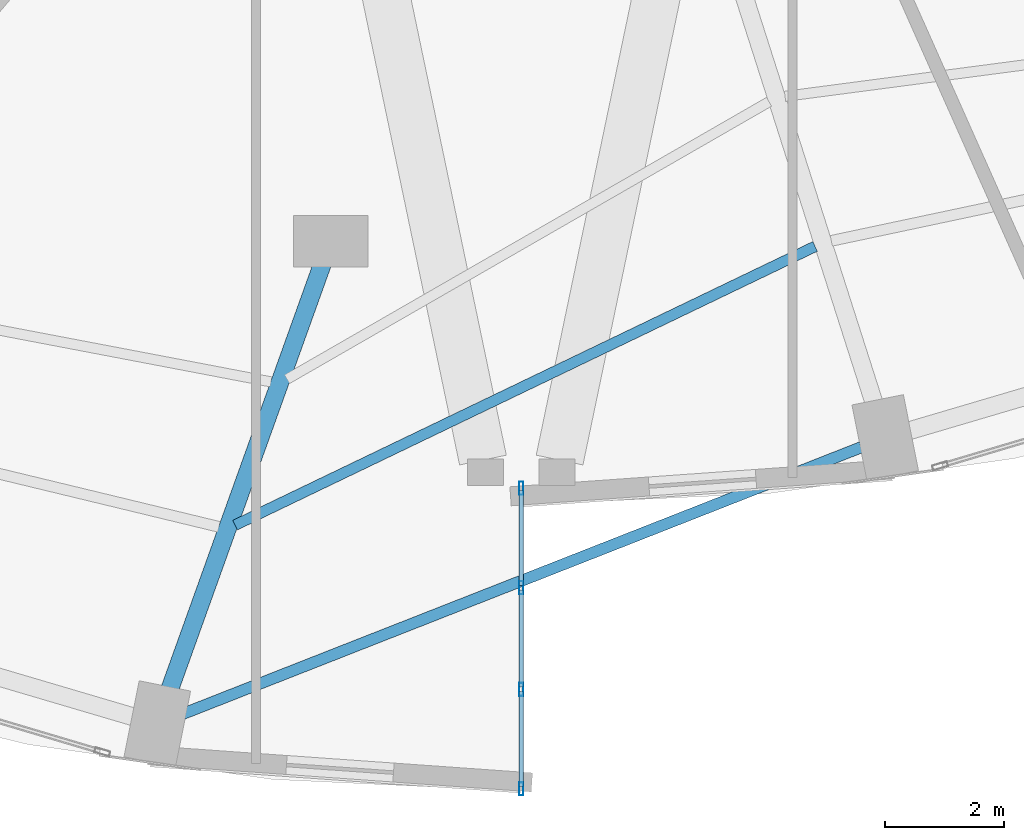
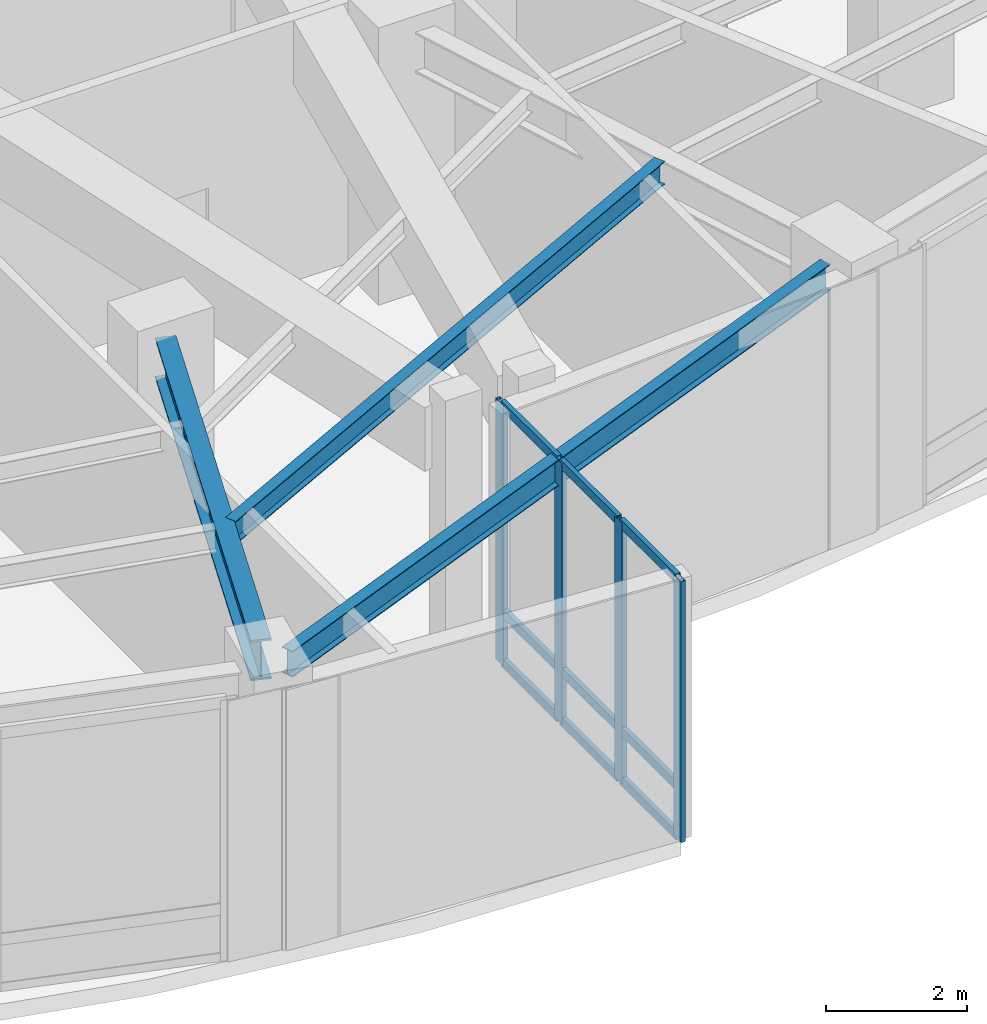
# One storey, part 4 of 24: 13 members, 3 beams, 1 element without a shape of its own.
"""IFC4 building model written with IfcOpenShell, lengths in metres."""

from ifc_helpers import new_model, si_unit, direction, frame, origin, origin_2d, place, context, subcontext, project, spatial, hollow_rectangle, i_section, extrude, material, layer, layer_set, material_profile, profile_set, type_object, element, aggregate, save


model = new_model("IFC4")

# Units and contexts
model_context = context("Model", 3, precision=1e-05, world=origin(), true_north=direction((0.0, 1.0)))
body_context = subcontext(model_context, "Body", "Model", "MODEL_VIEW")
ifc_project = project(units=[si_unit("LENGTHUNIT", "METRE"), si_unit("AREAUNIT", "SQUARE_METRE"), si_unit("VOLUMEUNIT", "CUBIC_METRE"), si_unit("PLANEANGLEUNIT", "RADIAN"), si_unit("MASSUNIT", "GRAM", prefix="KILO")], contexts=[model_context])

# Site, building, storey
site_placement = place(None, origin())
site = spatial("IfcSite", under=ifc_project, at=site_placement, CompositionType="ELEMENT")
building_placement = place(site_placement, origin())
building = spatial("IfcBuilding", under=site, at=building_placement, Name="Lazwardi Medical Tower", CompositionType="ELEMENT")
storey_placement = place(building_placement, frame((0.0, 0.0, 10.800048828125)))
storey = spatial("IfcBuildingStorey", under=building, at=storey_placement, Name="L02", CompositionType="ELEMENT", Elevation=10.800048828125)

# Beams
ifc_material_1 = material(Name="Steel S355", Category="steel")
ifc_material_profile_1 = material_profile(ifc_material_1, i_section(OverallWidth=0.300048828125, OverallDepth=0.699951171875, WebThickness=0.01708984375, FlangeThickness=0.031982421875, at=origin_2d()), Name="HEB 700")
ifc_profile_set_1 = profile_set([ifc_material_profile_1], Name="Steel S355")
beam_type_1 = type_object("IfcBeamType", Name="BM-RG-P1", PredefinedType="BEAM", material=ifc_profile_set_1)
beam_1_placement = place(storey_placement, frame((30.089599609375, 4.2744140625, 4.169921875), z_axis=(0.337851658054, 0.941199371627, 0.0), x_axis=(-0.941199371627, 0.337851658054, 0.0)))
element("IfcBeam", 1, at=beam_1_placement, inside=storey, type_object=beam_type_1, Name="Radial girder RG-01 R16A L02", PredefinedType="BEAM", context=body_context, shape_type="SweptSolid", body=[
    extrude(i_section(OverallWidth=0.300048828125, OverallDepth=0.699951171875, WebThickness=0.01708984375, FlangeThickness=0.031982421875, at=origin_2d()), origin(), (0.0, 0.0, 1.0), 7.622314453125),
])
ifc_material_profile_2 = material_profile(ifc_material_1, i_section(OverallWidth=0.179931640625, OverallDepth=0.39990234375, WebThickness=0.008544921875, FlangeThickness=0.013427734375, at=origin_2d()), Name="IPE 400")
ifc_profile_set_2 = profile_set([ifc_material_profile_2], Name="Steel S355")
beam_type_2 = type_object("IfcBeamType", Name="BM-SJ-01", PredefinedType="JOIST", material=ifc_profile_set_2)
beam_2_placement = place(storey_placement, frame((31.198974609375, 7.0634765625, 4.320068359375), z_axis=(0.901314400899, 0.433165500394, 0.0), x_axis=(-0.433165500394, 0.901314400899, 0.0)))
element("IfcBeam", 2, at=beam_2_placement, inside=storey, type_object=beam_type_2, Name="Secondary joist SJ-01 RO1 B16 L02", PredefinedType="JOIST", context=body_context, shape_type="SweptSolid", body=[
    extrude(i_section(OverallWidth=0.179931640625, OverallDepth=0.39990234375, WebThickness=0.008544921875, FlangeThickness=0.013427734375, at=origin_2d()), origin(), (0.0, 0.0, 1.0), 10.796142578125),
])
ifc_material_profile_3 = material_profile(ifc_material_1, i_section(OverallWidth=0.18994140625, OverallDepth=0.449951171875, WebThickness=0.009521484375, FlangeThickness=0.0146484375, at=origin_2d()), Name="IPE 450")
ifc_profile_set_3 = profile_set([ifc_material_profile_3], Name="Steel S355")
beam_type_3 = type_object("IfcBeamType", Name="BM-SP-01", PredefinedType="SPANDREL", material=ifc_profile_set_3)
beam_3_placement = place(storey_placement, frame((30.2939453125, 3.8857421875, 4.294921875), z_axis=(0.930695337123, 0.365795283536, 0.0), x_axis=(-0.365795283536, 0.930695337123, 0.0)))
element("IfcBeam", 3, at=beam_3_placement, inside=storey, type_object=beam_type_3, Name="Spandrel beam SP-01 B16 L02", PredefinedType="SPANDREL", context=body_context, shape_type="SweptSolid", body=[
    extrude(i_section(OverallWidth=0.18994140625, OverallDepth=0.449951171875, WebThickness=0.009521484375, FlangeThickness=0.0146484375, at=origin_2d()), origin(), (0.0, 0.0, 1.0), 12.261962890625),
])

# Curtain wall, members
ifc_material_2 = material(Name="Anodised bronze aluminium and solar control glazing", Category="aluminium")
ifc_layer = layer(ifc_material_2, 0.2099609375)
ifc_layer_set = layer_set([ifc_layer], Name="Anodised bronze aluminium and solar control glazing")
curtain_wall_type = type_object("IfcCurtainWallType", Name="CW-SYS-06", PredefinedType="NOTDEFINED", material=ifc_layer_set)
curtain_wall_placement = place(storey_placement, origin())
curtain_wall = element("IfcCurtainWall", 4, at=curtain_wall_placement, inside=storey, type_object=curtain_wall_type, Name="L02 Unitised bronze curtain wall CW-06", PredefinedType="NOTDEFINED")
ifc_material_3 = material(Name="Anodised bronze aluminium", Category="aluminium")
ifc_material_profile_4 = material_profile(ifc_material_3, hollow_rectangle(XDim=0.074951171875, YDim=0.219970703125, WallThickness=0.00390625, at=origin_2d()), Name="ALU-MULLION 220x75x4")
ifc_profile_set_4 = profile_set([ifc_material_profile_4], Name="Anodised bronze aluminium")
member_type_1 = type_object("IfcMemberType", Name="CW-MUL-01", PredefinedType="MULLION", material=ifc_profile_set_4)
member_1_placement = place(storey_placement, frame((36.0, 2.637451171875, 0.0), z_axis=(0.0, 0.0, 1.0), x_axis=(-1.0, 0.0, 0.0)))
member_1 = element("IfcMember", 5, at=member_1_placement, type_object=member_type_1, Name="CW-06 mullion 1", PredefinedType="MULLION", context=body_context, shape_type="SweptSolid", body=[
    extrude(hollow_rectangle(XDim=0.074951171875, YDim=0.219970703125, WallThickness=0.00390625, at=origin_2d()), origin(), (0.0, 0.0, 1.0), 4.52001953125),
])
member_2_placement = place(storey_placement, frame((36.0, 4.306640625, 0.0), z_axis=(0.0, 0.0, 1.0), x_axis=(-1.0, 0.0, 0.0)))
member_2 = element("IfcMember", 6, at=member_2_placement, type_object=member_type_1, Name="CW-06 mullion 2", PredefinedType="MULLION", context=body_context, shape_type="SweptSolid", body=[
    extrude(hollow_rectangle(XDim=0.074951171875, YDim=0.219970703125, WallThickness=0.00390625, at=origin_2d()), origin(), (0.0, 0.0, 1.0), 4.52001953125),
])
member_3_placement = place(storey_placement, frame((36.0, 6.013427734375, 0.0), z_axis=(0.0, 0.0, 1.0), x_axis=(-1.0, 0.0, 0.0)))
member_3 = element("IfcMember", 7, at=member_3_placement, type_object=member_type_1, Name="CW-06 mullion 3", PredefinedType="MULLION", context=body_context, shape_type="SweptSolid", body=[
    extrude(hollow_rectangle(XDim=0.074951171875, YDim=0.219970703125, WallThickness=0.00390625, at=origin_2d()), origin(), (0.0, 0.0, 1.0), 4.52001953125),
])
member_4_placement = place(storey_placement, frame((36.0, 7.6826171875, 0.0), z_axis=(0.0, 0.0, 1.0), x_axis=(-1.0, 0.0, 0.0)))
member_4 = element("IfcMember", 8, at=member_4_placement, type_object=member_type_1, Name="CW-06 mullion 4", PredefinedType="MULLION", context=body_context, shape_type="SweptSolid", body=[
    extrude(hollow_rectangle(XDim=0.074951171875, YDim=0.219970703125, WallThickness=0.00390625, at=origin_2d()), origin(), (0.0, 0.0, 1.0), 4.52001953125),
])
ifc_material_profile_5 = material_profile(ifc_material_3, hollow_rectangle(XDim=0.074951171875, YDim=0.159912109375, WallThickness=0.00390625, at=origin_2d()), Name="ALU-TRANSOM 160x75x4")
ifc_profile_set_5 = profile_set([ifc_material_profile_5], Name="Anodised bronze aluminium")
member_type_2 = type_object("IfcMemberType", Name="CW-TRN-01", PredefinedType="USERDEFINED", material=ifc_profile_set_5)
member_5_placement = place(storey_placement, frame((36.0, 2.675048828125, 0.037353515625), z_axis=(0.0, 1.0, 0.0), x_axis=(-1.0, 0.0, 0.0)))
member_5 = element("IfcMember", 9, at=member_5_placement, type_object=member_type_2, Name="CW-06 transom 1.1", ObjectType="TRANSOM", PredefinedType="USERDEFINED", context=body_context, shape_type="SweptSolid", body=[
    extrude(hollow_rectangle(XDim=0.074951171875, YDim=0.159912109375, WallThickness=0.00390625, at=origin_2d()), origin(), (0.0, 0.0, 1.0), 1.59423828125),
])
member_6_placement = place(storey_placement, frame((36.0, 2.675048828125, 0.89990234375), z_axis=(0.0, 1.0, 0.0), x_axis=(-1.0, 0.0, 0.0)))
member_6 = element("IfcMember", 10, at=member_6_placement, type_object=member_type_2, Name="CW-06 transom 1.2", ObjectType="TRANSOM", PredefinedType="USERDEFINED", context=body_context, shape_type="SweptSolid", body=[
    extrude(hollow_rectangle(XDim=0.074951171875, YDim=0.159912109375, WallThickness=0.00390625, at=origin_2d()), origin(), (0.0, 0.0, 1.0), 1.59423828125),
])
member_7_placement = place(storey_placement, frame((36.0, 2.675048828125, 4.482421875), z_axis=(0.0, 1.0, 0.0), x_axis=(-1.0, 0.0, 0.0)))
member_7 = element("IfcMember", 11, at=member_7_placement, type_object=member_type_2, Name="CW-06 transom 1.3", ObjectType="TRANSOM", PredefinedType="USERDEFINED", context=body_context, shape_type="SweptSolid", body=[
    extrude(hollow_rectangle(XDim=0.074951171875, YDim=0.159912109375, WallThickness=0.00390625, at=origin_2d()), origin(), (0.0, 0.0, 1.0), 1.59423828125),
])
member_8_placement = place(storey_placement, frame((36.0, 4.34423828125, 0.037353515625), z_axis=(0.0, 1.0, 0.0), x_axis=(-1.0, 0.0, 0.0)))
member_8 = element("IfcMember", 12, at=member_8_placement, type_object=member_type_2, Name="CW-06 transom 2.1", ObjectType="TRANSOM", PredefinedType="USERDEFINED", context=body_context, shape_type="SweptSolid", body=[
    extrude(hollow_rectangle(XDim=0.074951171875, YDim=0.159912109375, WallThickness=0.00390625, at=origin_2d()), origin(), (0.0, 0.0, 1.0), 1.631591796875),
])
member_9_placement = place(storey_placement, frame((36.0, 4.34423828125, 0.89990234375), z_axis=(0.0, 1.0, 0.0), x_axis=(-1.0, 0.0, 0.0)))
member_9 = element("IfcMember", 13, at=member_9_placement, type_object=member_type_2, Name="CW-06 transom 2.2", ObjectType="TRANSOM", PredefinedType="USERDEFINED", context=body_context, shape_type="SweptSolid", body=[
    extrude(hollow_rectangle(XDim=0.074951171875, YDim=0.159912109375, WallThickness=0.00390625, at=origin_2d()), origin(), (0.0, 0.0, 1.0), 1.631591796875),
])
member_10_placement = place(storey_placement, frame((36.0, 4.34423828125, 4.482421875), z_axis=(0.0, 1.0, 0.0), x_axis=(-1.0, 0.0, 0.0)))
member_10 = element("IfcMember", 14, at=member_10_placement, type_object=member_type_2, Name="CW-06 transom 2.3", ObjectType="TRANSOM", PredefinedType="USERDEFINED", context=body_context, shape_type="SweptSolid", body=[
    extrude(hollow_rectangle(XDim=0.074951171875, YDim=0.159912109375, WallThickness=0.00390625, at=origin_2d()), origin(), (0.0, 0.0, 1.0), 1.631591796875),
])
member_11_placement = place(storey_placement, frame((36.0, 6.05078125, 0.037353515625), z_axis=(0.0, 1.0, 0.0), x_axis=(-1.0, 0.0, 0.0)))
member_11 = element("IfcMember", 15, at=member_11_placement, type_object=member_type_2, Name="CW-06 transom 3.1", ObjectType="TRANSOM", PredefinedType="USERDEFINED", context=body_context, shape_type="SweptSolid", body=[
    extrude(hollow_rectangle(XDim=0.074951171875, YDim=0.159912109375, WallThickness=0.00390625, at=origin_2d()), origin(), (0.0, 0.0, 1.0), 1.59423828125),
])
member_12_placement = place(storey_placement, frame((36.0, 6.05078125, 0.89990234375), z_axis=(0.0, 1.0, 0.0), x_axis=(-1.0, 0.0, 0.0)))
member_12 = element("IfcMember", 16, at=member_12_placement, type_object=member_type_2, Name="CW-06 transom 3.2", ObjectType="TRANSOM", PredefinedType="USERDEFINED", context=body_context, shape_type="SweptSolid", body=[
    extrude(hollow_rectangle(XDim=0.074951171875, YDim=0.159912109375, WallThickness=0.00390625, at=origin_2d()), origin(), (0.0, 0.0, 1.0), 1.59423828125),
])
member_13_placement = place(storey_placement, frame((36.0, 6.05078125, 4.482421875), z_axis=(0.0, 1.0, 0.0), x_axis=(-1.0, 0.0, 0.0)))
member_13 = element("IfcMember", 17, at=member_13_placement, type_object=member_type_2, Name="CW-06 transom 3.3", ObjectType="TRANSOM", PredefinedType="USERDEFINED", context=body_context, shape_type="SweptSolid", body=[
    extrude(hollow_rectangle(XDim=0.074951171875, YDim=0.159912109375, WallThickness=0.00390625, at=origin_2d()), origin(), (0.0, 0.0, 1.0), 1.59423828125),
])
aggregate(curtain_wall, [member_1, member_2, member_3, member_4, member_5, member_6, member_7, member_8, member_9, member_10, member_11, member_12, member_13])

save(model, "model.ifc")
